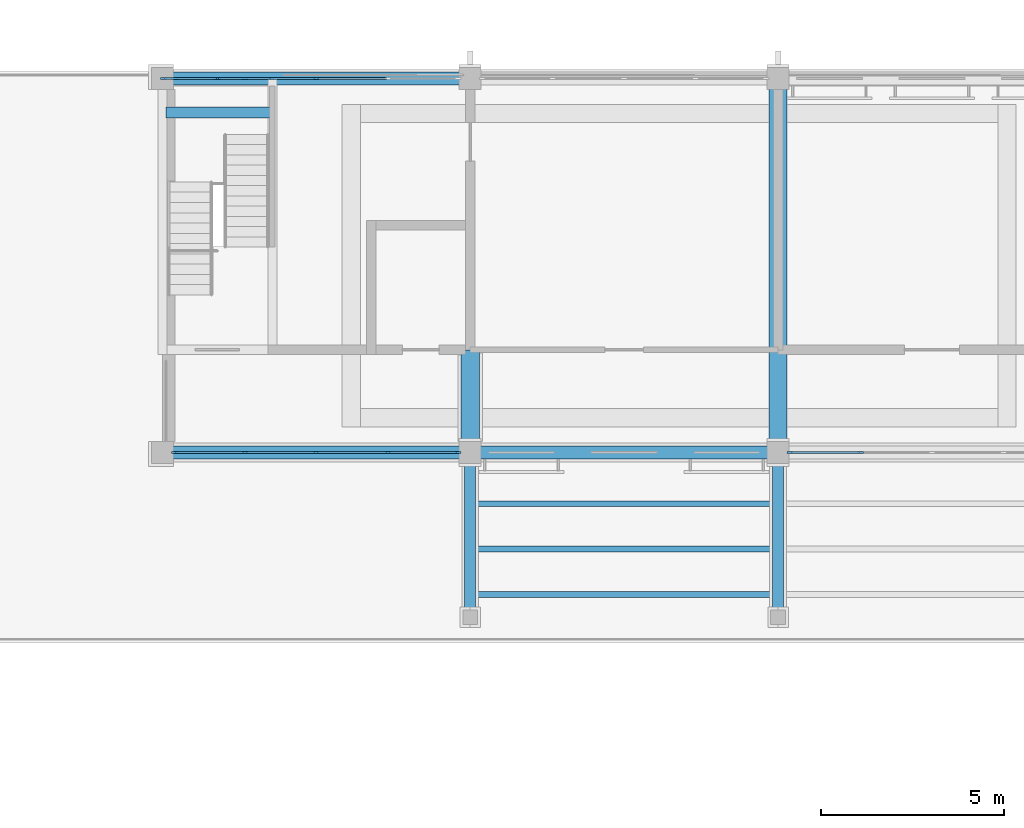
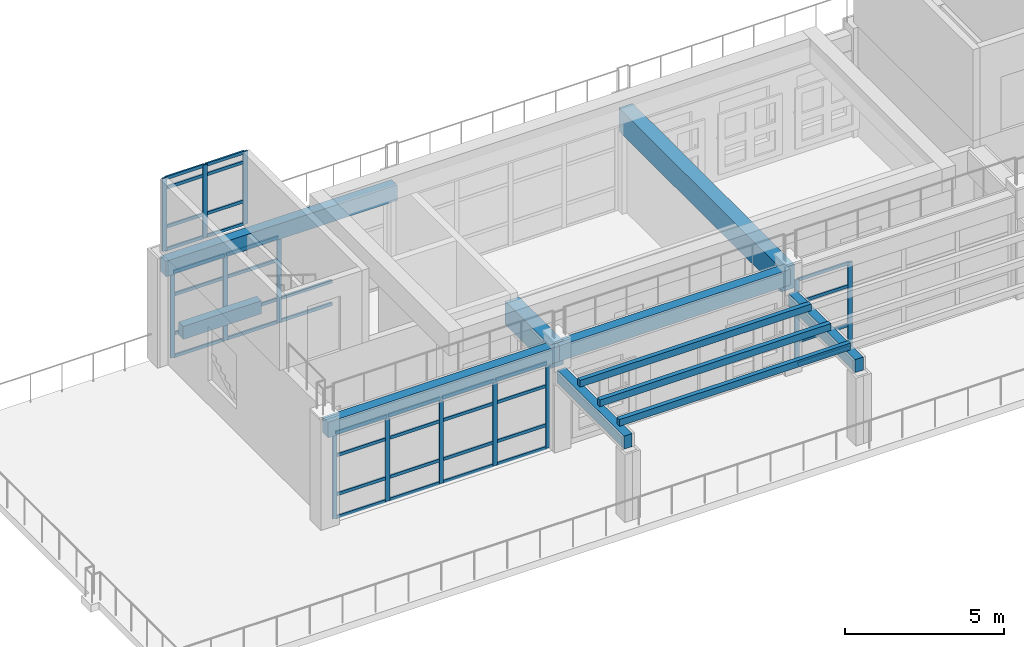
# One storey, part 36 of 105: 54 members, 8 beams, 4 elements without a shape of their own.
"""IFC4 building model written with IfcOpenShell, lengths in metres."""

from ifc_helpers import new_model, si_unit, direction, frame, origin, origin_2d, place, context, subcontext, project, spatial, rectangle, extrude, material, layer, layer_set, material_profile, profile_set, type_object, element, aggregate, save


model = new_model("IFC4")

# Units and contexts
model_context = context("Model", 3, precision=1e-05, world=origin(), true_north=direction((0.0, 1.0)))
body_context = subcontext(model_context, "Body", "Model", "MODEL_VIEW")
ifc_project = project(units=[si_unit("LENGTHUNIT", "METRE"), si_unit("AREAUNIT", "SQUARE_METRE"), si_unit("VOLUMEUNIT", "CUBIC_METRE"), si_unit("PLANEANGLEUNIT", "RADIAN"), si_unit("MASSUNIT", "GRAM", prefix="KILO")], contexts=[model_context])

# Site, building, storey
site_placement = place(None, origin())
site = spatial("IfcSite", under=ifc_project, at=site_placement, CompositionType="ELEMENT")
building_placement = place(site_placement, origin())
building = spatial("IfcBuilding", under=site, at=building_placement, Name="Wasatch Bagh Community Centre", CompositionType="ELEMENT")
storey_placement = place(building_placement, frame((0.0, 0.0, 16.800048828125)))
storey = spatial("IfcBuildingStorey", under=building, at=storey_placement, Name="L04", CompositionType="ELEMENT", Elevation=16.800048828125)

# Beams
ifc_material_1 = material(Name="Concrete C35", Category="concrete")
ifc_material_profile_1 = material_profile(ifc_material_1, rectangle(XDim=0.300048828125, YDim=0.5, at=origin_2d()), Name="RC 300x500")
ifc_profile_set_1 = profile_set([ifc_material_profile_1], Name="Concrete C35")
beam_type_1 = type_object("IfcBeamType", Name="LW RC 300x500", PredefinedType="BEAM", material=ifc_profile_set_1)
for number, where, z_axis, x_axis, name in (
    (1, (89.199951171875, 87.300048828125, 2.849853515625), (0.0, -1.0, 0.0), (1.0, 0.0, 0.0), "Pergola beam T4"),
    (2, (97.60009765625, 87.300048828125, 2.849853515625), (0.0, -1.0, 0.0), (1.0, 0.0, 0.0), "Pergola beam T4"),
):
    element("IfcBeam", number, at=place(storey_placement, frame(where, z_axis=z_axis, x_axis=x_axis)), inside=storey, type_object=beam_type_1, Name=name, PredefinedType="BEAM", context=body_context, shape_type="SweptSolid", body=[
        extrude(rectangle(XDim=0.300048828125, YDim=0.5, at=origin_2d()), origin(), (0.0, 0.0, 1.0), 4.199951171875),
    ])
beam_1_placement = place(storey_placement, frame((80.905029296875, 96.8798828125, 1.64990234375), z_axis=(1.0, 0.0, 0.0), x_axis=(0.0, 1.0, 0.0)))
element("IfcBeam", 3, at=beam_1_placement, inside=storey, type_object=beam_type_1, Name="LW.lbeam.L04.C1", PredefinedType="BEAM", context=body_context, shape_type="SweptSolid", body=[
    extrude(rectangle(XDim=0.300048828125, YDim=0.5, at=origin_2d()), origin(), (0.0, 0.0, 1.0), 2.840087890625),
])
ifc_material_profile_2 = material_profile(ifc_material_1, rectangle(XDim=0.35009765625, YDim=0.60009765625, at=origin_2d()), Name="RC 350x600")
ifc_profile_set_2 = profile_set([ifc_material_profile_2], Name="Concrete C35")
beam_type_2 = type_object("IfcBeamType", Name="LW RC 350x600", PredefinedType="BEAM", material=ifc_profile_set_2)
beam_2_placement = place(storey_placement, frame((80.800048828125, 87.60009765625, 3.599853515625), z_axis=(1.0, 0.0, 0.0), x_axis=(0.0, 1.0, 0.0)))
element("IfcBeam", 4, at=beam_2_placement, inside=storey, type_object=beam_type_2, Name="W3-W4M", PredefinedType="BEAM", context=body_context, shape_type="SweptSolid", body=[
    extrude(rectangle(XDim=0.35009765625, YDim=0.60009765625, at=origin_2d()), origin(), (0.0, 0.0, 1.0), 8.39990234375),
])
beam_3_placement = place(storey_placement, frame((89.199951171875, 87.60009765625, 3.599853515625), z_axis=(1.0, 0.0, 0.0), x_axis=(0.0, 1.0, 0.0)))
element("IfcBeam", 5, at=beam_3_placement, inside=storey, type_object=beam_type_2, Name="W4-W5M", PredefinedType="BEAM", context=body_context, shape_type="SweptSolid", body=[
    extrude(rectangle(XDim=0.35009765625, YDim=0.60009765625, at=origin_2d()), origin(), (0.0, 0.0, 1.0), 8.400146484375),
])
beam_4_placement = place(storey_placement, frame((80.800048828125, 97.800048828125, 3.599853515625), z_axis=(1.0, 0.0, 0.0), x_axis=(0.0, 1.0, 0.0)))
element("IfcBeam", 6, at=beam_4_placement, inside=storey, type_object=beam_type_2, Name="W3-W4N", PredefinedType="BEAM", context=body_context, shape_type="SweptSolid", body=[
    extrude(rectangle(XDim=0.35009765625, YDim=0.60009765625, at=origin_2d()), origin(), (0.0, 0.0, 1.0), 8.39990234375),
])
ifc_material_profile_3 = material_profile(ifc_material_1, rectangle(XDim=0.5, YDim=0.89990234375, at=origin_2d()), Name="RC 500x900")
ifc_profile_set_3 = profile_set([ifc_material_profile_3], Name="Concrete C35")
beam_type_3 = type_object("IfcBeamType", Name="LW RC 500x900", PredefinedType="BEAM", material=ifc_profile_set_3)
beam_5_placement = place(storey_placement, frame((89.199951171875, 87.60009765625, 3.449951171875), z_axis=(0.0, 1.0, 0.0), x_axis=(-1.0, 0.0, 0.0)))
element("IfcBeam", 7, at=beam_5_placement, inside=storey, type_object=beam_type_3, Name="W4M-N", PredefinedType="BEAM", context=body_context, shape_type="SweptSolid", body=[
    extrude(rectangle(XDim=0.5, YDim=0.89990234375, at=origin_2d()), origin(), (0.0, 0.0, 1.0), 2.7998046875),
])
beam_6_placement = place(storey_placement, frame((97.60009765625, 87.60009765625, 3.449951171875), z_axis=(0.0, 1.0, 0.0), x_axis=(-1.0, 0.0, 0.0)))
element("IfcBeam", 8, at=beam_6_placement, inside=storey, type_object=beam_type_3, Name="W5M-N", PredefinedType="BEAM", context=body_context, shape_type="SweptSolid", body=[
    extrude(rectangle(XDim=0.5, YDim=0.89990234375, at=origin_2d()), origin(), (0.0, 0.0, 1.0), 10.199951171875),
])

# Curtain wall, members
ifc_material_2 = material(Name="Aluminium curtain wall frame with low-iron glass", Category="aluminium")
ifc_layer_1 = layer(ifc_material_2, 0.10009765625)
ifc_layer_set_1 = layer_set([ifc_layer_1], Name="Aluminium curtain wall frame with low-iron glass")
curtain_wall_type_1 = type_object("IfcCurtainWallType", Name="LW curtain wall 100", PredefinedType="NOTDEFINED", material=ifc_layer_set_1)
curtain_wall_1_placement = place(storey_placement, origin())
curtain_wall_1 = element("IfcCurtainWall", 9, at=curtain_wall_1_placement, inside=storey, type_object=curtain_wall_type_1, Name="Curtain wall 04.05", PredefinedType="NOTDEFINED")
ifc_material_3 = material(Name="Aluminium extrusion", Category="aluminium")
ifc_material_profile_4 = material_profile(ifc_material_3, rectangle(XDim=0.06005859375, YDim=0.159912109375, at=origin_2d()), Name="AL 60x160")
ifc_profile_set_4 = profile_set([ifc_material_profile_4], Name="Aluminium extrusion")
member_type_1 = type_object("IfcMemberType", Name="LW curtain wall mullion 60x160", PredefinedType="MULLION", material=ifc_profile_set_4)
member_1_placement = place(storey_placement, frame((81.1298828125, 97.800048828125, 0.0), z_axis=(0.0, 0.0, 1.0), x_axis=(0.0, 1.0, 0.0)))
member_1 = element("IfcMember", 10, at=member_1_placement, type_object=member_type_1, Name="LW-CW1 mullion 1", PredefinedType="MULLION", context=body_context, shape_type="SweptSolid", body=[
    extrude(rectangle(XDim=0.06005859375, YDim=0.159912109375, at=origin_2d()), origin(), (0.0, 0.0, 1.0), 3.300048828125),
])
member_2_placement = place(storey_placement, frame((83.050048828125, 97.800048828125, 0.0), z_axis=(0.0, 0.0, 1.0), x_axis=(0.0, 1.0, 0.0)))
member_2 = element("IfcMember", 11, at=member_2_placement, type_object=member_type_1, Name="LW-CW1 mullion 2", PredefinedType="MULLION", context=body_context, shape_type="SweptSolid", body=[
    extrude(rectangle(XDim=0.06005859375, YDim=0.159912109375, at=origin_2d()), origin(), (0.0, 0.0, 1.0), 3.300048828125),
])
member_3_placement = place(storey_placement, frame((85.0, 97.800048828125, 0.0), z_axis=(0.0, 0.0, 1.0), x_axis=(0.0, 1.0, 0.0)))
member_3 = element("IfcMember", 12, at=member_3_placement, type_object=member_type_1, Name="LW-CW1 mullion 3", PredefinedType="MULLION", context=body_context, shape_type="SweptSolid", body=[
    extrude(rectangle(XDim=0.06005859375, YDim=0.159912109375, at=origin_2d()), origin(), (0.0, 0.0, 1.0), 3.300048828125),
])

ifc_layer_2 = layer(ifc_material_2, 0.139892578125)
ifc_layer_set_2 = layer_set([ifc_layer_2], Name="Aluminium curtain wall frame with low-iron glass")
curtain_wall_type_2 = type_object("IfcCurtainWallType", Name="LW terrace front curtain wall 140", PredefinedType="NOTDEFINED", material=ifc_layer_set_2)
curtain_wall_2_placement = place(storey_placement, origin())
curtain_wall_2 = element("IfcCurtainWall", 13, at=curtain_wall_2_placement, inside=storey, type_object=curtain_wall_type_2, Name="Curtain wall 04.01", PredefinedType="NOTDEFINED")
ifc_material_profile_5 = material_profile(ifc_material_3, rectangle(XDim=0.06005859375, YDim=0.159912109375, at=origin_2d()), Name="AL 60x160")
ifc_profile_set_5 = profile_set([ifc_material_profile_5], Name="Aluminium extrusion")
member_type_2 = type_object("IfcMemberType", Name="LW curtain wall mullion 60x160 LW-CW3", PredefinedType="MULLION", material=ifc_profile_set_5)
member_4_placement = place(storey_placement, frame((81.1298828125, 87.60009765625, 0.0), z_axis=(0.0, 0.0, 1.0), x_axis=(0.0, 1.0, 0.0)))
member_4 = element("IfcMember", 14, at=member_4_placement, type_object=member_type_2, Name="LW-CW3 mullion 1", PredefinedType="MULLION", context=body_context, shape_type="SweptSolid", body=[
    extrude(rectangle(XDim=0.06005859375, YDim=0.159912109375, at=origin_2d()), origin(), (0.0, 0.0, 1.0), 3.300048828125),
])
member_5_placement = place(storey_placement, frame((83.050048828125, 87.60009765625, 0.0), z_axis=(0.0, 0.0, 1.0), x_axis=(0.0, 1.0, 0.0)))
member_5 = element("IfcMember", 15, at=member_5_placement, type_object=member_type_2, Name="LW-CW3 mullion 2", PredefinedType="MULLION", context=body_context, shape_type="SweptSolid", body=[
    extrude(rectangle(XDim=0.06005859375, YDim=0.159912109375, at=origin_2d()), origin(), (0.0, 0.0, 1.0), 3.300048828125),
])
member_6_placement = place(storey_placement, frame((85.0, 87.60009765625, 0.0), z_axis=(0.0, 0.0, 1.0), x_axis=(0.0, 1.0, 0.0)))
member_6 = element("IfcMember", 16, at=member_6_placement, type_object=member_type_2, Name="LW-CW3 mullion 3", PredefinedType="MULLION", context=body_context, shape_type="SweptSolid", body=[
    extrude(rectangle(XDim=0.06005859375, YDim=0.159912109375, at=origin_2d()), origin(), (0.0, 0.0, 1.0), 3.300048828125),
])
member_7_placement = place(storey_placement, frame((86.949951171875, 87.60009765625, 0.0), z_axis=(0.0, 0.0, 1.0), x_axis=(0.0, 1.0, 0.0)))
member_7 = element("IfcMember", 17, at=member_7_placement, type_object=member_type_2, Name="LW-CW3 mullion 4", PredefinedType="MULLION", context=body_context, shape_type="SweptSolid", body=[
    extrude(rectangle(XDim=0.06005859375, YDim=0.159912109375, at=origin_2d()), origin(), (0.0, 0.0, 1.0), 3.300048828125),
])
member_8_placement = place(storey_placement, frame((88.8701171875, 87.60009765625, 0.0), z_axis=(0.0, 0.0, 1.0), x_axis=(0.0, 1.0, 0.0)))
member_8 = element("IfcMember", 18, at=member_8_placement, type_object=member_type_2, Name="LW-CW3 mullion 5", PredefinedType="MULLION", context=body_context, shape_type="SweptSolid", body=[
    extrude(rectangle(XDim=0.06005859375, YDim=0.159912109375, at=origin_2d()), origin(), (0.0, 0.0, 1.0), 3.300048828125),
])

curtain_wall_3_placement = place(storey_placement, origin())
curtain_wall_3 = element("IfcCurtainWall", 19, at=curtain_wall_3_placement, inside=storey, type_object=curtain_wall_type_2, Name="Curtain wall 04.02", PredefinedType="NOTDEFINED")
member_9_placement = place(storey_placement, frame((97.929931640625, 87.60009765625, 0.0), z_axis=(0.0, 0.0, 1.0), x_axis=(0.0, 1.0, 0.0)))
member_9 = element("IfcMember", 20, at=member_9_placement, type_object=member_type_2, Name="LW-CW3 mullion 1", PredefinedType="MULLION", context=body_context, shape_type="SweptSolid", body=[
    extrude(rectangle(XDim=0.06005859375, YDim=0.159912109375, at=origin_2d()), origin(), (0.0, 0.0, 1.0), 3.300048828125),
])
member_10_placement = place(storey_placement, frame((99.85009765625, 87.60009765625, 0.0), z_axis=(0.0, 0.0, 1.0), x_axis=(0.0, 1.0, 0.0)))
member_10 = element("IfcMember", 21, at=member_10_placement, type_object=member_type_2, Name="LW-CW3 mullion 2", PredefinedType="MULLION", context=body_context, shape_type="SweptSolid", body=[
    extrude(rectangle(XDim=0.06005859375, YDim=0.159912109375, at=origin_2d()), origin(), (0.0, 0.0, 1.0), 3.300048828125),
])

ifc_layer_3 = layer(ifc_material_2, 0.090087890625)
ifc_layer_set_3 = layer_set([ifc_layer_3], Name="Aluminium curtain wall frame with low-iron glass")
curtain_wall_type_3 = type_object("IfcCurtainWallType", Name="LW head house curtain wall 90", PredefinedType="NOTDEFINED", material=ifc_layer_set_3)
curtain_wall_4_placement = place(storey_placement, origin())
curtain_wall_4 = element("IfcCurtainWall", 22, at=curtain_wall_4_placement, inside=storey, type_object=curtain_wall_type_3, Name="Curtain wall 04.50", PredefinedType="NOTDEFINED")
ifc_material_profile_6 = material_profile(ifc_material_3, rectangle(XDim=0.06005859375, YDim=0.159912109375, at=origin_2d()), Name="AL 60x160")
ifc_profile_set_6 = profile_set([ifc_material_profile_6], Name="Aluminium extrusion")
member_type_3 = type_object("IfcMemberType", Name="LW curtain wall mullion 60x160 LW-CW5", PredefinedType="MULLION", material=ifc_profile_set_6)
member_11_placement = place(storey_placement, frame((80.830078125, 97.800048828125, 4.199951171875), z_axis=(0.0, 0.0, 1.0), x_axis=(0.0, 1.0, 0.0)))
member_11 = element("IfcMember", 23, at=member_11_placement, type_object=member_type_3, Name="LW-CW5 mullion 1", PredefinedType="MULLION", context=body_context, shape_type="SweptSolid", body=[
    extrude(rectangle(XDim=0.06005859375, YDim=0.159912109375, at=origin_2d()), origin(), (0.0, 0.0, 1.0), 2.800048828125),
])
member_12_placement = place(storey_placement, frame((82.300048828125, 97.800048828125, 4.199951171875), z_axis=(0.0, 0.0, 1.0), x_axis=(0.0, 1.0, 0.0)))
member_12 = element("IfcMember", 24, at=member_12_placement, type_object=member_type_3, Name="LW-CW5 mullion 2", PredefinedType="MULLION", context=body_context, shape_type="SweptSolid", body=[
    extrude(rectangle(XDim=0.06005859375, YDim=0.159912109375, at=origin_2d()), origin(), (0.0, 0.0, 1.0), 2.800048828125),
])
member_13_placement = place(storey_placement, frame((83.77001953125, 97.800048828125, 4.199951171875), z_axis=(0.0, 0.0, 1.0), x_axis=(0.0, 1.0, 0.0)))
member_13 = element("IfcMember", 25, at=member_13_placement, type_object=member_type_3, Name="LW-CW5 mullion 3", PredefinedType="MULLION", context=body_context, shape_type="SweptSolid", body=[
    extrude(rectangle(XDim=0.06005859375, YDim=0.159912109375, at=origin_2d()), origin(), (0.0, 0.0, 1.0), 2.800048828125),
])

# Member
ifc_material_profile_7 = material_profile(ifc_material_3, rectangle(XDim=0.06005859375, YDim=0.1201171875, at=origin_2d()), Name="AL 60x120")
ifc_profile_set_7 = profile_set([ifc_material_profile_7], Name="Aluminium extrusion")
member_type_4 = type_object("IfcMemberType", Name="LW curtain wall transom 60x120", PredefinedType="USERDEFINED", material=ifc_profile_set_7)
member_14_placement = place(storey_placement, frame((81.159912109375, 97.800048828125, 0.030029296875), z_axis=(1.0, 0.0, 0.0), x_axis=(0.0, 1.0, 0.0)))
member_14 = element("IfcMember", 26, at=member_14_placement, type_object=member_type_4, Name="LW-CW1 transom 1.1", ObjectType="TRANSOM", PredefinedType="USERDEFINED", context=body_context, shape_type="SweptSolid", body=[
    extrude(rectangle(XDim=0.06005859375, YDim=0.1201171875, at=origin_2d()), origin(), (0.0, 0.0, 1.0), 1.860107421875),
])

member_15_placement = place(storey_placement, frame((81.159912109375, 97.800048828125, 0.89990234375), z_axis=(1.0, 0.0, 0.0), x_axis=(0.0, 1.0, 0.0)))
member_15 = element("IfcMember", 27, at=member_15_placement, type_object=member_type_4, Name="LW-CW1 transom 1.2", ObjectType="TRANSOM", PredefinedType="USERDEFINED", context=body_context, shape_type="SweptSolid", body=[
    extrude(rectangle(XDim=0.06005859375, YDim=0.1201171875, at=origin_2d()), origin(), (0.0, 0.0, 1.0), 1.860107421875),
])

member_16_placement = place(storey_placement, frame((81.159912109375, 97.800048828125, 2.39990234375), z_axis=(1.0, 0.0, 0.0), x_axis=(0.0, 1.0, 0.0)))
member_16 = element("IfcMember", 28, at=member_16_placement, type_object=member_type_4, Name="LW-CW1 transom 1.3", ObjectType="TRANSOM", PredefinedType="USERDEFINED", context=body_context, shape_type="SweptSolid", body=[
    extrude(rectangle(XDim=0.06005859375, YDim=0.1201171875, at=origin_2d()), origin(), (0.0, 0.0, 1.0), 1.860107421875),
])

member_17_placement = place(storey_placement, frame((81.159912109375, 97.800048828125, 3.27001953125), z_axis=(1.0, 0.0, 0.0), x_axis=(0.0, 1.0, 0.0)))
member_17 = element("IfcMember", 29, at=member_17_placement, type_object=member_type_4, Name="LW-CW1 transom 1.4", ObjectType="TRANSOM", PredefinedType="USERDEFINED", context=body_context, shape_type="SweptSolid", body=[
    extrude(rectangle(XDim=0.06005859375, YDim=0.1201171875, at=origin_2d()), origin(), (0.0, 0.0, 1.0), 1.860107421875),
])

member_18_placement = place(storey_placement, frame((83.080078125, 97.800048828125, 0.030029296875), z_axis=(1.0, 0.0, 0.0), x_axis=(0.0, 1.0, 0.0)))
member_18 = element("IfcMember", 30, at=member_18_placement, type_object=member_type_4, Name="LW-CW1 transom 2.1", ObjectType="TRANSOM", PredefinedType="USERDEFINED", context=body_context, shape_type="SweptSolid", body=[
    extrude(rectangle(XDim=0.06005859375, YDim=0.1201171875, at=origin_2d()), origin(), (0.0, 0.0, 1.0), 1.889892578125),
])

member_19_placement = place(storey_placement, frame((83.080078125, 97.800048828125, 0.89990234375), z_axis=(1.0, 0.0, 0.0), x_axis=(0.0, 1.0, 0.0)))
member_19 = element("IfcMember", 31, at=member_19_placement, type_object=member_type_4, Name="LW-CW1 transom 2.2", ObjectType="TRANSOM", PredefinedType="USERDEFINED", context=body_context, shape_type="SweptSolid", body=[
    extrude(rectangle(XDim=0.06005859375, YDim=0.1201171875, at=origin_2d()), origin(), (0.0, 0.0, 1.0), 1.889892578125),
])

member_20_placement = place(storey_placement, frame((83.080078125, 97.800048828125, 2.39990234375), z_axis=(1.0, 0.0, 0.0), x_axis=(0.0, 1.0, 0.0)))
member_20 = element("IfcMember", 32, at=member_20_placement, type_object=member_type_4, Name="LW-CW1 transom 2.3", ObjectType="TRANSOM", PredefinedType="USERDEFINED", context=body_context, shape_type="SweptSolid", body=[
    extrude(rectangle(XDim=0.06005859375, YDim=0.1201171875, at=origin_2d()), origin(), (0.0, 0.0, 1.0), 1.889892578125),
])

member_21_placement = place(storey_placement, frame((83.080078125, 97.800048828125, 3.27001953125), z_axis=(1.0, 0.0, 0.0), x_axis=(0.0, 1.0, 0.0)))
member_21 = element("IfcMember", 33, at=member_21_placement, type_object=member_type_4, Name="LW-CW1 transom 2.4", ObjectType="TRANSOM", PredefinedType="USERDEFINED", context=body_context, shape_type="SweptSolid", body=[
    extrude(rectangle(XDim=0.06005859375, YDim=0.1201171875, at=origin_2d()), origin(), (0.0, 0.0, 1.0), 1.889892578125),
])

member_22_placement = place(storey_placement, frame((85.030029296875, 97.800048828125, 0.030029296875), z_axis=(1.0, 0.0, 0.0), x_axis=(0.0, 1.0, 0.0)))
member_22 = element("IfcMember", 34, at=member_22_placement, type_object=member_type_4, Name="LW-CW1 transom 3.1", ObjectType="TRANSOM", PredefinedType="USERDEFINED", context=body_context, shape_type="SweptSolid", body=[
    extrude(rectangle(XDim=0.06005859375, YDim=0.1201171875, at=origin_2d()), origin(), (0.0, 0.0, 1.0), 1.889892578125),
])

member_23_placement = place(storey_placement, frame((85.030029296875, 97.800048828125, 0.89990234375), z_axis=(1.0, 0.0, 0.0), x_axis=(0.0, 1.0, 0.0)))
member_23 = element("IfcMember", 35, at=member_23_placement, type_object=member_type_4, Name="LW-CW1 transom 3.2", ObjectType="TRANSOM", PredefinedType="USERDEFINED", context=body_context, shape_type="SweptSolid", body=[
    extrude(rectangle(XDim=0.06005859375, YDim=0.1201171875, at=origin_2d()), origin(), (0.0, 0.0, 1.0), 1.889892578125),
])

aggregate(curtain_wall_1, [member_1, member_2, member_3, member_14, member_15, member_16, member_17, member_18, member_19, member_20, member_21, member_22, member_23])

ifc_material_profile_8 = material_profile(ifc_material_3, rectangle(XDim=0.06005859375, YDim=0.1201171875, at=origin_2d()), Name="AL 60x120")
ifc_profile_set_8 = profile_set([ifc_material_profile_8], Name="Aluminium extrusion")
member_type_5 = type_object("IfcMemberType", Name="LW curtain wall transom 60x120 LW-CW3", PredefinedType="USERDEFINED", material=ifc_profile_set_8)
member_24_placement = place(storey_placement, frame((81.159912109375, 87.60009765625, 0.030029296875), z_axis=(1.0, 0.0, 0.0), x_axis=(0.0, 1.0, 0.0)))
member_24 = element("IfcMember", 36, at=member_24_placement, type_object=member_type_5, Name="LW-CW3 transom 1.1", ObjectType="TRANSOM", PredefinedType="USERDEFINED", context=body_context, shape_type="SweptSolid", body=[
    extrude(rectangle(XDim=0.06005859375, YDim=0.1201171875, at=origin_2d()), origin(), (0.0, 0.0, 1.0), 1.860107421875),
])

member_25_placement = place(storey_placement, frame((81.159912109375, 87.60009765625, 0.89990234375), z_axis=(1.0, 0.0, 0.0), x_axis=(0.0, 1.0, 0.0)))
member_25 = element("IfcMember", 37, at=member_25_placement, type_object=member_type_5, Name="LW-CW3 transom 1.2", ObjectType="TRANSOM", PredefinedType="USERDEFINED", context=body_context, shape_type="SweptSolid", body=[
    extrude(rectangle(XDim=0.06005859375, YDim=0.1201171875, at=origin_2d()), origin(), (0.0, 0.0, 1.0), 1.860107421875),
])

member_26_placement = place(storey_placement, frame((81.159912109375, 87.60009765625, 2.39990234375), z_axis=(1.0, 0.0, 0.0), x_axis=(0.0, 1.0, 0.0)))
member_26 = element("IfcMember", 38, at=member_26_placement, type_object=member_type_5, Name="LW-CW3 transom 1.3", ObjectType="TRANSOM", PredefinedType="USERDEFINED", context=body_context, shape_type="SweptSolid", body=[
    extrude(rectangle(XDim=0.06005859375, YDim=0.1201171875, at=origin_2d()), origin(), (0.0, 0.0, 1.0), 1.860107421875),
])

member_27_placement = place(storey_placement, frame((81.159912109375, 87.60009765625, 3.27001953125), z_axis=(1.0, 0.0, 0.0), x_axis=(0.0, 1.0, 0.0)))
member_27 = element("IfcMember", 39, at=member_27_placement, type_object=member_type_5, Name="LW-CW3 transom 1.4", ObjectType="TRANSOM", PredefinedType="USERDEFINED", context=body_context, shape_type="SweptSolid", body=[
    extrude(rectangle(XDim=0.06005859375, YDim=0.1201171875, at=origin_2d()), origin(), (0.0, 0.0, 1.0), 1.860107421875),
])

member_28_placement = place(storey_placement, frame((83.080078125, 87.60009765625, 0.030029296875), z_axis=(1.0, 0.0, 0.0), x_axis=(0.0, 1.0, 0.0)))
member_28 = element("IfcMember", 40, at=member_28_placement, type_object=member_type_5, Name="LW-CW3 transom 2.1", ObjectType="TRANSOM", PredefinedType="USERDEFINED", context=body_context, shape_type="SweptSolid", body=[
    extrude(rectangle(XDim=0.06005859375, YDim=0.1201171875, at=origin_2d()), origin(), (0.0, 0.0, 1.0), 1.889892578125),
])

member_29_placement = place(storey_placement, frame((83.080078125, 87.60009765625, 0.89990234375), z_axis=(1.0, 0.0, 0.0), x_axis=(0.0, 1.0, 0.0)))
member_29 = element("IfcMember", 41, at=member_29_placement, type_object=member_type_5, Name="LW-CW3 transom 2.2", ObjectType="TRANSOM", PredefinedType="USERDEFINED", context=body_context, shape_type="SweptSolid", body=[
    extrude(rectangle(XDim=0.06005859375, YDim=0.1201171875, at=origin_2d()), origin(), (0.0, 0.0, 1.0), 1.889892578125),
])

member_30_placement = place(storey_placement, frame((83.080078125, 87.60009765625, 2.39990234375), z_axis=(1.0, 0.0, 0.0), x_axis=(0.0, 1.0, 0.0)))
member_30 = element("IfcMember", 42, at=member_30_placement, type_object=member_type_5, Name="LW-CW3 transom 2.3", ObjectType="TRANSOM", PredefinedType="USERDEFINED", context=body_context, shape_type="SweptSolid", body=[
    extrude(rectangle(XDim=0.06005859375, YDim=0.1201171875, at=origin_2d()), origin(), (0.0, 0.0, 1.0), 1.889892578125),
])

member_31_placement = place(storey_placement, frame((83.080078125, 87.60009765625, 3.27001953125), z_axis=(1.0, 0.0, 0.0), x_axis=(0.0, 1.0, 0.0)))
member_31 = element("IfcMember", 43, at=member_31_placement, type_object=member_type_5, Name="LW-CW3 transom 2.4", ObjectType="TRANSOM", PredefinedType="USERDEFINED", context=body_context, shape_type="SweptSolid", body=[
    extrude(rectangle(XDim=0.06005859375, YDim=0.1201171875, at=origin_2d()), origin(), (0.0, 0.0, 1.0), 1.889892578125),
])

member_32_placement = place(storey_placement, frame((85.030029296875, 87.60009765625, 0.030029296875), z_axis=(1.0, 0.0, 0.0), x_axis=(0.0, 1.0, 0.0)))
member_32 = element("IfcMember", 44, at=member_32_placement, type_object=member_type_5, Name="LW-CW3 transom 3.1", ObjectType="TRANSOM", PredefinedType="USERDEFINED", context=body_context, shape_type="SweptSolid", body=[
    extrude(rectangle(XDim=0.06005859375, YDim=0.1201171875, at=origin_2d()), origin(), (0.0, 0.0, 1.0), 1.889892578125),
])

member_33_placement = place(storey_placement, frame((85.030029296875, 87.60009765625, 0.89990234375), z_axis=(1.0, 0.0, 0.0), x_axis=(0.0, 1.0, 0.0)))
member_33 = element("IfcMember", 45, at=member_33_placement, type_object=member_type_5, Name="LW-CW3 transom 3.2", ObjectType="TRANSOM", PredefinedType="USERDEFINED", context=body_context, shape_type="SweptSolid", body=[
    extrude(rectangle(XDim=0.06005859375, YDim=0.1201171875, at=origin_2d()), origin(), (0.0, 0.0, 1.0), 1.889892578125),
])

member_34_placement = place(storey_placement, frame((85.030029296875, 87.60009765625, 2.39990234375), z_axis=(1.0, 0.0, 0.0), x_axis=(0.0, 1.0, 0.0)))
member_34 = element("IfcMember", 46, at=member_34_placement, type_object=member_type_5, Name="LW-CW3 transom 3.3", ObjectType="TRANSOM", PredefinedType="USERDEFINED", context=body_context, shape_type="SweptSolid", body=[
    extrude(rectangle(XDim=0.06005859375, YDim=0.1201171875, at=origin_2d()), origin(), (0.0, 0.0, 1.0), 1.889892578125),
])

member_35_placement = place(storey_placement, frame((85.030029296875, 87.60009765625, 3.27001953125), z_axis=(1.0, 0.0, 0.0), x_axis=(0.0, 1.0, 0.0)))
member_35 = element("IfcMember", 47, at=member_35_placement, type_object=member_type_5, Name="LW-CW3 transom 3.4", ObjectType="TRANSOM", PredefinedType="USERDEFINED", context=body_context, shape_type="SweptSolid", body=[
    extrude(rectangle(XDim=0.06005859375, YDim=0.1201171875, at=origin_2d()), origin(), (0.0, 0.0, 1.0), 1.889892578125),
])

member_36_placement = place(storey_placement, frame((86.97998046875, 87.60009765625, 0.030029296875), z_axis=(1.0, 0.0, 0.0), x_axis=(0.0, 1.0, 0.0)))
member_36 = element("IfcMember", 48, at=member_36_placement, type_object=member_type_5, Name="LW-CW3 transom 4.1", ObjectType="TRANSOM", PredefinedType="USERDEFINED", context=body_context, shape_type="SweptSolid", body=[
    extrude(rectangle(XDim=0.06005859375, YDim=0.1201171875, at=origin_2d()), origin(), (0.0, 0.0, 1.0), 1.860107421875),
])

member_37_placement = place(storey_placement, frame((86.97998046875, 87.60009765625, 0.89990234375), z_axis=(1.0, 0.0, 0.0), x_axis=(0.0, 1.0, 0.0)))
member_37 = element("IfcMember", 49, at=member_37_placement, type_object=member_type_5, Name="LW-CW3 transom 4.2", ObjectType="TRANSOM", PredefinedType="USERDEFINED", context=body_context, shape_type="SweptSolid", body=[
    extrude(rectangle(XDim=0.06005859375, YDim=0.1201171875, at=origin_2d()), origin(), (0.0, 0.0, 1.0), 1.860107421875),
])

member_38_placement = place(storey_placement, frame((86.97998046875, 87.60009765625, 2.39990234375), z_axis=(1.0, 0.0, 0.0), x_axis=(0.0, 1.0, 0.0)))
member_38 = element("IfcMember", 50, at=member_38_placement, type_object=member_type_5, Name="LW-CW3 transom 4.3", ObjectType="TRANSOM", PredefinedType="USERDEFINED", context=body_context, shape_type="SweptSolid", body=[
    extrude(rectangle(XDim=0.06005859375, YDim=0.1201171875, at=origin_2d()), origin(), (0.0, 0.0, 1.0), 1.860107421875),
])

member_39_placement = place(storey_placement, frame((86.97998046875, 87.60009765625, 3.27001953125), z_axis=(1.0, 0.0, 0.0), x_axis=(0.0, 1.0, 0.0)))
member_39 = element("IfcMember", 51, at=member_39_placement, type_object=member_type_5, Name="LW-CW3 transom 4.4", ObjectType="TRANSOM", PredefinedType="USERDEFINED", context=body_context, shape_type="SweptSolid", body=[
    extrude(rectangle(XDim=0.06005859375, YDim=0.1201171875, at=origin_2d()), origin(), (0.0, 0.0, 1.0), 1.860107421875),
])

aggregate(curtain_wall_2, [member_4, member_5, member_6, member_7, member_8, member_24, member_25, member_26, member_27, member_28, member_29, member_30, member_31, member_32, member_33, member_34, member_35, member_36, member_37, member_38, member_39])

member_40_placement = place(storey_placement, frame((97.9599609375, 87.60009765625, 0.030029296875), z_axis=(1.0, 0.0, 0.0), x_axis=(0.0, 1.0, 0.0)))
member_40 = element("IfcMember", 52, at=member_40_placement, type_object=member_type_5, Name="LW-CW3 transom 1.1", ObjectType="TRANSOM", PredefinedType="USERDEFINED", context=body_context, shape_type="SweptSolid", body=[
    extrude(rectangle(XDim=0.06005859375, YDim=0.1201171875, at=origin_2d()), origin(), (0.0, 0.0, 1.0), 1.860107421875),
])

member_41_placement = place(storey_placement, frame((97.9599609375, 87.60009765625, 0.89990234375), z_axis=(1.0, 0.0, 0.0), x_axis=(0.0, 1.0, 0.0)))
member_41 = element("IfcMember", 53, at=member_41_placement, type_object=member_type_5, Name="LW-CW3 transom 1.2", ObjectType="TRANSOM", PredefinedType="USERDEFINED", context=body_context, shape_type="SweptSolid", body=[
    extrude(rectangle(XDim=0.06005859375, YDim=0.1201171875, at=origin_2d()), origin(), (0.0, 0.0, 1.0), 1.860107421875),
])

member_42_placement = place(storey_placement, frame((97.9599609375, 87.60009765625, 2.39990234375), z_axis=(1.0, 0.0, 0.0), x_axis=(0.0, 1.0, 0.0)))
member_42 = element("IfcMember", 54, at=member_42_placement, type_object=member_type_5, Name="LW-CW3 transom 1.3", ObjectType="TRANSOM", PredefinedType="USERDEFINED", context=body_context, shape_type="SweptSolid", body=[
    extrude(rectangle(XDim=0.06005859375, YDim=0.1201171875, at=origin_2d()), origin(), (0.0, 0.0, 1.0), 1.860107421875),
])

member_43_placement = place(storey_placement, frame((97.9599609375, 87.60009765625, 3.27001953125), z_axis=(1.0, 0.0, 0.0), x_axis=(0.0, 1.0, 0.0)))
member_43 = element("IfcMember", 55, at=member_43_placement, type_object=member_type_5, Name="LW-CW3 transom 1.4", ObjectType="TRANSOM", PredefinedType="USERDEFINED", context=body_context, shape_type="SweptSolid", body=[
    extrude(rectangle(XDim=0.06005859375, YDim=0.1201171875, at=origin_2d()), origin(), (0.0, 0.0, 1.0), 1.860107421875),
])

aggregate(curtain_wall_3, [member_9, member_10, member_40, member_41, member_42, member_43])

ifc_material_profile_9 = material_profile(ifc_material_3, rectangle(XDim=0.06005859375, YDim=0.1201171875, at=origin_2d()), Name="AL 60x120")
ifc_profile_set_9 = profile_set([ifc_material_profile_9], Name="Aluminium extrusion")
member_type_6 = type_object("IfcMemberType", Name="LW curtain wall transom 60x120 LW-CW5", PredefinedType="USERDEFINED", material=ifc_profile_set_9)
member_44_placement = place(storey_placement, frame((80.860107421875, 97.800048828125, 4.22998046875), z_axis=(1.0, 0.0, 0.0), x_axis=(0.0, 1.0, 0.0)))
member_44 = element("IfcMember", 56, at=member_44_placement, type_object=member_type_6, Name="LW-CW5 transom 1.1", ObjectType="TRANSOM", PredefinedType="USERDEFINED", context=body_context, shape_type="SweptSolid", body=[
    extrude(rectangle(XDim=0.06005859375, YDim=0.1201171875, at=origin_2d()), origin(), (0.0, 0.0, 1.0), 1.409912109375),
])

member_45_placement = place(storey_placement, frame((80.860107421875, 97.800048828125, 5.099853515625), z_axis=(1.0, 0.0, 0.0), x_axis=(0.0, 1.0, 0.0)))
member_45 = element("IfcMember", 57, at=member_45_placement, type_object=member_type_6, Name="LW-CW5 transom 1.2", ObjectType="TRANSOM", PredefinedType="USERDEFINED", context=body_context, shape_type="SweptSolid", body=[
    extrude(rectangle(XDim=0.06005859375, YDim=0.1201171875, at=origin_2d()), origin(), (0.0, 0.0, 1.0), 1.409912109375),
])

member_46_placement = place(storey_placement, frame((80.860107421875, 97.800048828125, 6.599853515625), z_axis=(1.0, 0.0, 0.0), x_axis=(0.0, 1.0, 0.0)))
member_46 = element("IfcMember", 58, at=member_46_placement, type_object=member_type_6, Name="LW-CW5 transom 1.3", ObjectType="TRANSOM", PredefinedType="USERDEFINED", context=body_context, shape_type="SweptSolid", body=[
    extrude(rectangle(XDim=0.06005859375, YDim=0.1201171875, at=origin_2d()), origin(), (0.0, 0.0, 1.0), 1.409912109375),
])

member_47_placement = place(storey_placement, frame((80.860107421875, 97.800048828125, 6.969970703125), z_axis=(1.0, 0.0, 0.0), x_axis=(0.0, 1.0, 0.0)))
member_47 = element("IfcMember", 59, at=member_47_placement, type_object=member_type_6, Name="LW-CW5 transom 1.4", ObjectType="TRANSOM", PredefinedType="USERDEFINED", context=body_context, shape_type="SweptSolid", body=[
    extrude(rectangle(XDim=0.06005859375, YDim=0.1201171875, at=origin_2d()), origin(), (0.0, 0.0, 1.0), 1.409912109375),
])

member_48_placement = place(storey_placement, frame((82.330078125, 97.800048828125, 4.22998046875), z_axis=(1.0, 0.0, 0.0), x_axis=(0.0, 1.0, 0.0)))
member_48 = element("IfcMember", 60, at=member_48_placement, type_object=member_type_6, Name="LW-CW5 transom 2.1", ObjectType="TRANSOM", PredefinedType="USERDEFINED", context=body_context, shape_type="SweptSolid", body=[
    extrude(rectangle(XDim=0.06005859375, YDim=0.1201171875, at=origin_2d()), origin(), (0.0, 0.0, 1.0), 1.409912109375),
])

member_49_placement = place(storey_placement, frame((82.330078125, 97.800048828125, 5.099853515625), z_axis=(1.0, 0.0, 0.0), x_axis=(0.0, 1.0, 0.0)))
member_49 = element("IfcMember", 61, at=member_49_placement, type_object=member_type_6, Name="LW-CW5 transom 2.2", ObjectType="TRANSOM", PredefinedType="USERDEFINED", context=body_context, shape_type="SweptSolid", body=[
    extrude(rectangle(XDim=0.06005859375, YDim=0.1201171875, at=origin_2d()), origin(), (0.0, 0.0, 1.0), 1.409912109375),
])

member_50_placement = place(storey_placement, frame((82.330078125, 97.800048828125, 6.599853515625), z_axis=(1.0, 0.0, 0.0), x_axis=(0.0, 1.0, 0.0)))
member_50 = element("IfcMember", 62, at=member_50_placement, type_object=member_type_6, Name="LW-CW5 transom 2.3", ObjectType="TRANSOM", PredefinedType="USERDEFINED", context=body_context, shape_type="SweptSolid", body=[
    extrude(rectangle(XDim=0.06005859375, YDim=0.1201171875, at=origin_2d()), origin(), (0.0, 0.0, 1.0), 1.409912109375),
])

member_51_placement = place(storey_placement, frame((82.330078125, 97.800048828125, 6.969970703125), z_axis=(1.0, 0.0, 0.0), x_axis=(0.0, 1.0, 0.0)))
member_51 = element("IfcMember", 63, at=member_51_placement, type_object=member_type_6, Name="LW-CW5 transom 2.4", ObjectType="TRANSOM", PredefinedType="USERDEFINED", context=body_context, shape_type="SweptSolid", body=[
    extrude(rectangle(XDim=0.06005859375, YDim=0.1201171875, at=origin_2d()), origin(), (0.0, 0.0, 1.0), 1.409912109375),
])

aggregate(curtain_wall_4, [member_11, member_12, member_13, member_44, member_45, member_46, member_47, member_48, member_49, member_50, member_51])

# Members
ifc_material_4 = material(Name="Glued laminated timber GL24h", Category="wood")
ifc_material_profile_10 = material_profile(ifc_material_4, rectangle(XDim=0.159912109375, YDim=0.260009765625, at=origin_2d()), Name="GL 160x260")
ifc_profile_set_10 = profile_set([ifc_material_profile_10], Name="Glued laminated timber GL24h")
member_type_7 = type_object("IfcMemberType", Name="LW pergola slat 160x260", PredefinedType="MEMBER", material=ifc_profile_set_10)
for number, where, z_axis, x_axis, name in (
    (64, (89.199951171875, 83.719970703125, 3.22998046875), (1.0, 0.0, 0.0), (0.0, 1.0, 0.0), "Pergola slat T4"),
    (65, (89.199951171875, 84.9599609375, 3.22998046875), (1.0, 0.0, 0.0), (0.0, 1.0, 0.0), "Pergola slat T4"),
    (66, (89.199951171875, 86.199951171875, 3.22998046875), (1.0, 0.0, 0.0), (0.0, 1.0, 0.0), "Pergola slat T4"),
):
    element("IfcMember", number, at=place(storey_placement, frame(where, z_axis=z_axis, x_axis=x_axis)), inside=storey, type_object=member_type_7, Name=name, PredefinedType="MEMBER", context=body_context, shape_type="SweptSolid", body=[
        extrude(rectangle(XDim=0.159912109375, YDim=0.260009765625, at=origin_2d()), origin(), (0.0, 0.0, 1.0), 8.400146484375),
    ])

save(model, "model.ifc")
